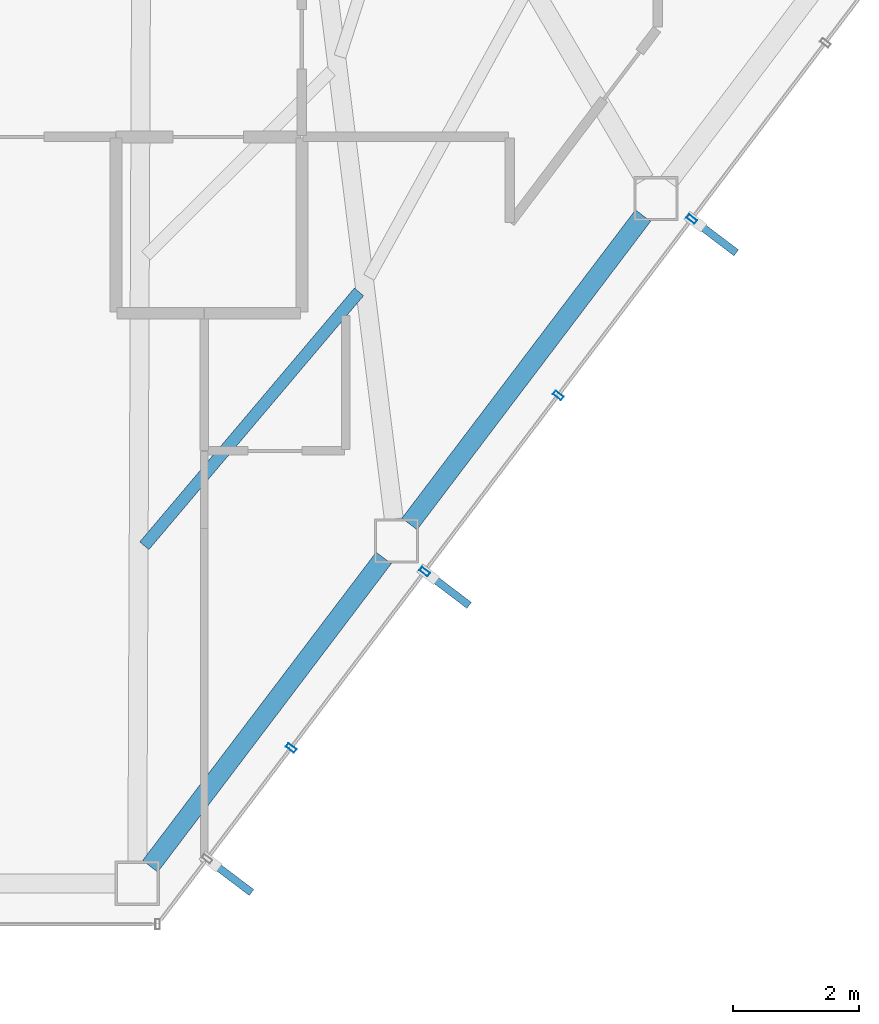
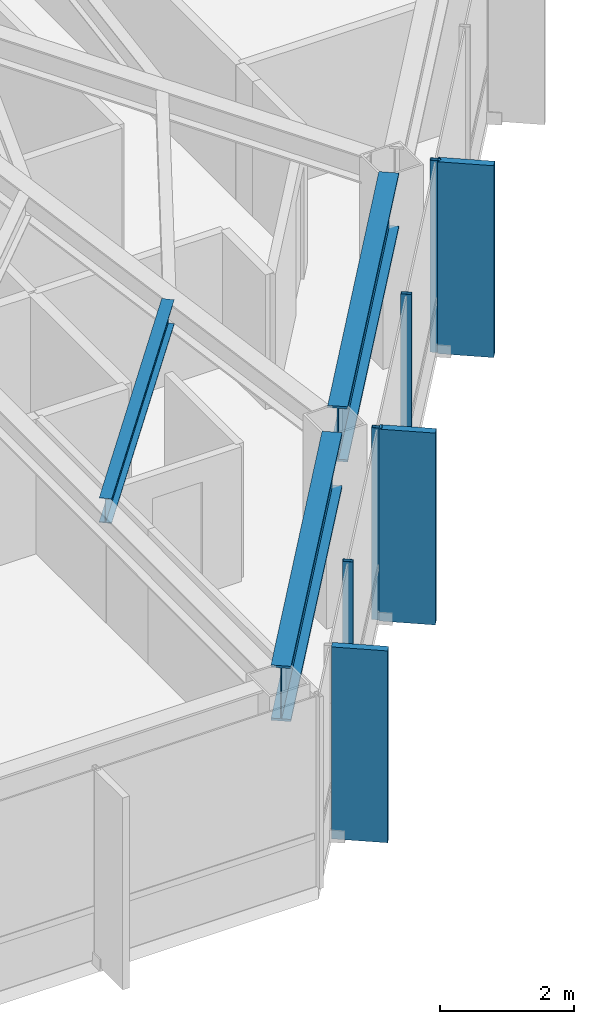
# One storey, part 17 of 28: 7 members, 3 beams, 1 element without a shape of its own.
"""IFC4 building model written with IfcOpenShell, lengths in metres."""

from ifc_helpers import new_model, si_unit, direction, frame, origin, origin_2d, place, context, subcontext, project, spatial, rectangle, hollow_rectangle, i_section, extrude, material, layer, layer_set, material_profile, profile_set, type_object, element, aggregate, save


model = new_model("IFC4")

# Units and contexts
model_context = context("Model", 3, precision=1e-05, world=origin(), true_north=direction((0.0, 1.0)))
body_context = subcontext(model_context, "Body", "Model", "MODEL_VIEW")
ifc_project = project(units=[si_unit("LENGTHUNIT", "METRE"), si_unit("AREAUNIT", "SQUARE_METRE"), si_unit("VOLUMEUNIT", "CUBIC_METRE"), si_unit("PLANEANGLEUNIT", "RADIAN"), si_unit("MASSUNIT", "GRAM", prefix="KILO")], contexts=[model_context])

# Site, building, storey
site_placement = place(None, origin())
site = spatial("IfcSite", under=ifc_project, at=site_placement, CompositionType="ELEMENT")
building_placement = place(site_placement, origin())
building = spatial("IfcBuilding", under=site, at=building_placement, Name="Zarrinselat Tower", CompositionType="ELEMENT")
storey_placement = place(building_placement, frame((0.0, 0.0, 168.300048828125)))
storey = spatial("IfcBuildingStorey", under=building, at=storey_placement, Name="L41", CompositionType="ELEMENT", Elevation=168.300048828125)

# Beams
ifc_material_1 = material(Name="Steel S460M", Category="steel")
ifc_material_profile_1 = material_profile(ifc_material_1, i_section(OverallWidth=0.302001953125, OverallDepth=1.008056640625, WebThickness=0.02099609375, FlangeThickness=0.0400390625, at=origin_2d()), Name="HEM 1000")
ifc_profile_set_1 = profile_set([ifc_material_profile_1], Name="Steel S460M")
beam_type_1 = type_object("IfcBeamType", Name="BM-HEM1000", PredefinedType="BEAM", material=ifc_profile_set_1)
beam_1_placement = place(storey_placement, frame((45.943603515625, 18.57275390625, 2.995849609375), z_axis=(0.603842375532, 0.797103748274, 0.0), x_axis=(-0.797103748274, 0.603842375532, 0.0)))
element("IfcBeam", 1, at=beam_1_placement, inside=storey, type_object=beam_type_1, Name="L41 Perimeter Spandrel Girder SP11", PredefinedType="BEAM", context=body_context, shape_type="SweptSolid", body=[
    extrude(i_section(OverallWidth=0.302001953125, OverallDepth=1.008056640625, WebThickness=0.02099609375, FlangeThickness=0.0400390625, at=origin_2d()), origin(), (0.0, 0.0, 1.0), 6.139404296875),
])
beam_2_placement = place(storey_placement, frame((50.05908203125, 24.00537109375, 2.995849609375), z_axis=(0.603867640738, 0.7970846081, 0.0), x_axis=(-0.7970846081, 0.603867640738, 0.0)))
element("IfcBeam", 2, at=beam_2_placement, inside=storey, type_object=beam_type_1, Name="L41 Perimeter Spandrel Girder SP12", PredefinedType="BEAM", context=body_context, shape_type="SweptSolid", body=[
    extrude(i_section(OverallWidth=0.302001953125, OverallDepth=1.008056640625, WebThickness=0.02099609375, FlangeThickness=0.0400390625, at=origin_2d()), origin(), (0.0, 0.0, 1.0), 6.1396484375),
])
ifc_material_2 = material(Name="Steel S355J2", Category="steel")
ifc_material_profile_2 = material_profile(ifc_material_2, i_section(OverallWidth=0.18994140625, OverallDepth=0.449951171875, WebThickness=0.009521484375, FlangeThickness=0.0146484375, at=origin_2d()), Name="IPE 450")
ifc_profile_set_2 = profile_set([ifc_material_profile_2], Name="Steel S355J2")
beam_type_2 = type_object("IfcBeamType", Name="BM-IPE450", PredefinedType="JOIST", material=ifc_profile_set_2)
beam_3_placement = place(storey_placement, frame((45.851318359375, 23.659912109375, 3.27490234375), z_axis=(0.645647662694, 0.763635446832, 0.0), x_axis=(-0.763635446832, 0.645647662694, 0.0)))
element("IfcBeam", 3, at=beam_3_placement, inside=storey, type_object=beam_type_2, Name="L41 Composite Floor Joist 3-1", PredefinedType="JOIST", context=body_context, shape_type="SweptSolid", body=[
    extrude(i_section(OverallWidth=0.18994140625, OverallDepth=0.449951171875, WebThickness=0.009521484375, FlangeThickness=0.0146484375, at=origin_2d()), origin(), (0.0, 0.0, 1.0), 5.2763671875),
])

# Curtain wall, members
ifc_material_3 = material(Name="Extruded Aluminium Alloy EN AW-6063 T6", Category="aluminium")
ifc_layer = layer(ifc_material_3, 0.175048828125)
ifc_layer_set = layer_set([ifc_layer], Name="Extruded Aluminium Alloy EN AW-6063 T6")
curtain_wall_type = type_object("IfcCurtainWallType", Name="CWS-HTL", PredefinedType="NOTDEFINED", material=ifc_layer_set)
curtain_wall_placement = place(storey_placement, origin())
curtain_wall = element("IfcCurtainWall", 4, at=curtain_wall_placement, inside=storey, type_object=curtain_wall_type, Name="L41 Unitised Curtain Wall CW-L41-E05", PredefinedType="NOTDEFINED")
ifc_material_4 = material(Name="Extruded Aluminium Alloy EN AW-6063 T6", Category="aluminium")
ifc_material_profile_3 = material_profile(ifc_material_4, hollow_rectangle(XDim=0.070068359375, YDim=0.159912109375, WallThickness=0.00390625, at=origin_2d()), Name="RHS 160x70x4")
ifc_profile_set_3 = profile_set([ifc_material_profile_3], Name="Extruded Aluminium Alloy EN AW-6063 T6")
member_type_1 = type_object("IfcMemberType", Name="MEM-CW-MUL2", PredefinedType="MULLION", material=ifc_profile_set_3)
member_1_placement = place(storey_placement, frame((48.181884765625, 20.450927734375, 0.0), z_axis=(0.0, 0.0, 1.0), x_axis=(0.603858853713, 0.797091265033, 0.0)))
member_1 = element("IfcMember", 5, at=member_1_placement, type_object=member_type_1, Name="CW-L41-E05 Mullion 2", PredefinedType="MULLION", context=body_context, shape_type="SweptSolid", body=[
    extrude(hollow_rectangle(XDim=0.070068359375, YDim=0.159912109375, WallThickness=0.00390625, at=origin_2d()), origin(), (0.0, 0.0, 1.0), 3.5),
])
member_2_placement = place(storey_placement, frame((50.301025390625, 23.248291015625, 0.0), z_axis=(0.0, 0.0, 1.0), x_axis=(0.603858853713, 0.797091265033, 0.0)))
member_2 = element("IfcMember", 6, at=member_2_placement, type_object=member_type_1, Name="CW-L41-E05 Mullion 3", PredefinedType="MULLION", context=body_context, shape_type="SweptSolid", body=[
    extrude(hollow_rectangle(XDim=0.070068359375, YDim=0.159912109375, WallThickness=0.00390625, at=origin_2d()), origin(), (0.0, 0.0, 1.0), 3.5),
])
member_3_placement = place(storey_placement, frame((52.42041015625, 26.0458984375, 0.0), z_axis=(0.0, 0.0, 1.0), x_axis=(0.603858853713, 0.797091265033, 0.0)))
member_3 = element("IfcMember", 7, at=member_3_placement, type_object=member_type_1, Name="CW-L41-E05 Mullion 4", PredefinedType="MULLION", context=body_context, shape_type="SweptSolid", body=[
    extrude(hollow_rectangle(XDim=0.070068359375, YDim=0.159912109375, WallThickness=0.00390625, at=origin_2d()), origin(), (0.0, 0.0, 1.0), 3.5),
])
member_4_placement = place(storey_placement, frame((54.539794921875, 28.843505859375, 0.0), z_axis=(0.0, 0.0, 1.0), x_axis=(0.603858853713, 0.797091265033, 0.0)))
member_4 = element("IfcMember", 8, at=member_4_placement, type_object=member_type_1, Name="CW-L41-E05 Mullion 5", PredefinedType="MULLION", context=body_context, shape_type="SweptSolid", body=[
    extrude(hollow_rectangle(XDim=0.070068359375, YDim=0.159912109375, WallThickness=0.00390625, at=origin_2d()), origin(), (0.0, 0.0, 1.0), 3.5),
])
ifc_material_5 = material(Name="Honed Cream Travertine Stone", Category="masonry")
ifc_material_profile_4 = material_profile(ifc_material_5, rectangle(XDim=0.1201171875, YDim=0.85009765625, at=origin_2d()), Name="FIN 850x120")
ifc_profile_set_4 = profile_set([ifc_material_profile_4], Name="Honed Cream Travertine Stone")
member_type_2 = type_object("IfcMemberType", Name="MEM-STONE-FIN", PredefinedType="USERDEFINED", material=ifc_profile_set_4)
member_5_placement = place(storey_placement, frame((47.214599609375, 18.412353515625, 0.0), z_axis=(0.0, 0.0, 1.0), x_axis=(-0.603858853713, -0.797091265033, 0.0)))
member_5 = element("IfcMember", 9, at=member_5_placement, type_object=member_type_2, Name="L41 Stone Shading Fin CW-L41-E05-01", ObjectType="FIN", PredefinedType="USERDEFINED", context=body_context, shape_type="SweptSolid", body=[
    extrude(rectangle(XDim=0.1201171875, YDim=0.85009765625, at=origin_2d()), origin(), (0.0, 0.0, 1.0), 3.5),
])
member_6_placement = place(storey_placement, frame((50.667724609375, 22.970703125, 0.0), z_axis=(0.0, 0.0, 1.0), x_axis=(-0.603858853713, -0.797091265033, 0.0)))
member_6 = element("IfcMember", 10, at=member_6_placement, type_object=member_type_2, Name="L41 Stone Shading Fin CW-L41-E05-03", ObjectType="FIN", PredefinedType="USERDEFINED", context=body_context, shape_type="SweptSolid", body=[
    extrude(rectangle(XDim=0.1201171875, YDim=0.85009765625, at=origin_2d()), origin(), (0.0, 0.0, 1.0), 3.5),
])
member_7_placement = place(storey_placement, frame((54.906494140625, 28.565673828125, 0.0), z_axis=(0.0, 0.0, 1.0), x_axis=(-0.603858853713, -0.797091265033, 0.0)))
member_7 = element("IfcMember", 11, at=member_7_placement, type_object=member_type_2, Name="L41 Stone Shading Fin CW-L41-E05-05", ObjectType="FIN", PredefinedType="USERDEFINED", context=body_context, shape_type="SweptSolid", body=[
    extrude(rectangle(XDim=0.1201171875, YDim=0.85009765625, at=origin_2d()), origin(), (0.0, 0.0, 1.0), 3.5),
])
aggregate(curtain_wall, [member_5, member_1, member_2, member_6, member_3, member_4, member_7])

save(model, "model.ifc")
